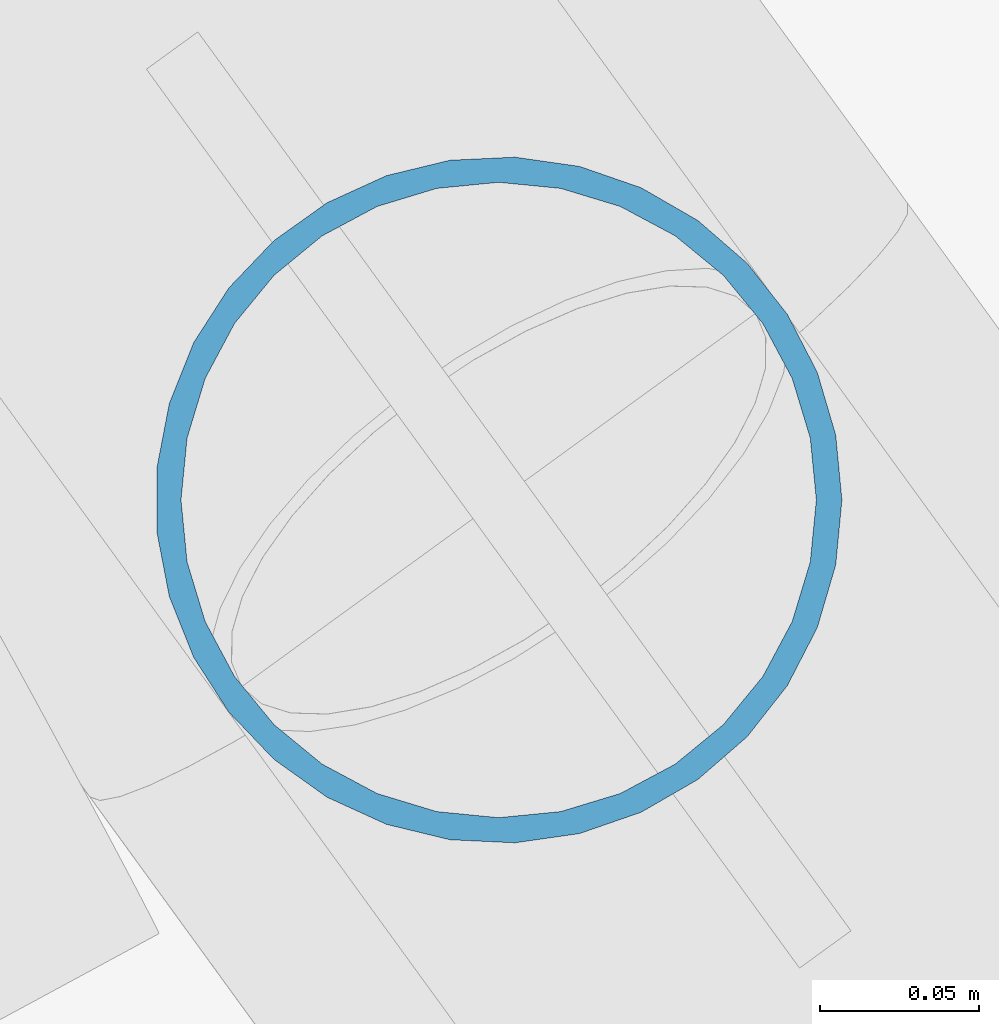
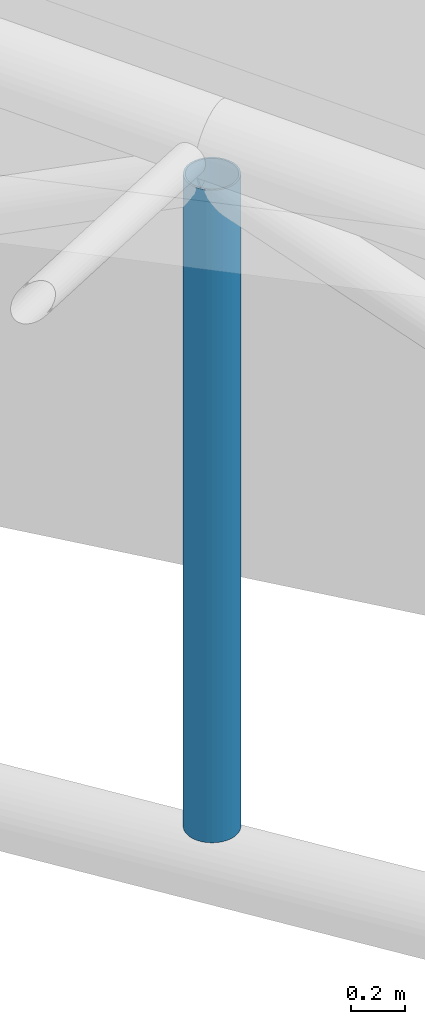
# One storey, part 41 of 163: 1 member.
"""IFC4 building model written with IfcOpenShell, lengths in metres."""

import ifcopenshell
import ifcopenshell.guid

model = None  # the IFC model being written
_history = None  # IfcOwnerHistory: only IFC2X3 demands one
_inside = {}  # id of a spatial element -> (the spatial element, [elements in it])
_under = {}  # id of a project, library or spatial element -> (it, [spatial elements below it])
_declared = {}  # id of a project -> (the project, [libraries it declares])
_typed = {}  # id of a type object -> (the type object, [elements of that type])
_made_of = {}  # id of a material, layer set ... -> (it, [elements and type objects made of it])


def new_model(schema):
    """Start an empty IFC model of exactly this schema.

    Asked for "IFC4X3", IfcOpenShell would pick the latest addendum, in which some entities
    have other attributes; the version numbers below select the first issue.
    IFC2X3 requires an IfcOwnerHistory on every rooted entity: one is made here for all.
    """
    global model, _history
    if schema == "IFC4X3":
        model = ifcopenshell.file(schema_version=(4, 3, 0, 0))
    else:
        model = ifcopenshell.file(schema=schema)
    _inside.clear()
    _under.clear()
    _declared.clear()
    _typed.clear()
    _made_of.clear()
    _history = None
    if model.schema == "IFC2X3":
        org = make("IfcOrganization", Name="unknown")
        user = make(
            "IfcPersonAndOrganization",
            ThePerson=make("IfcPerson", FamilyName="unknown"),
            TheOrganization=org,
        )
        app = make(
            "IfcApplication",
            ApplicationDeveloper=org,
            Version="unknown",
            ApplicationFullName="unknown",
            ApplicationIdentifier="unknown",
        )
        _history = make(
            "IfcOwnerHistory",
            OwningUser=user,
            OwningApplication=app,
            ChangeAction="ADDED",
            CreationDate=0,
        )
    return model


def make(cls, **values):
    """One entity of the class cls with the attributes given. An attribute that is None is left unset."""
    return model.create_entity(
        cls, **{name: value for name, value in values.items() if value is not None}
    )


def rooted(cls, **values):
    """An entity with a GlobalId (a new one), such as an element, a storey or a relation."""
    return make(cls, GlobalId=ifcopenshell.guid.new(), OwnerHistory=_history, **values)


def si_unit(unit_type, name, prefix=None):
    """IfcSIUnit, for example si_unit("LENGTHUNIT", "METRE", prefix="MILLI")."""
    return make("IfcSIUnit", UnitType=unit_type, Prefix=prefix, Name=name)


def assignment(units):
    """IfcUnitAssignment: the units of a project."""
    return None if units is None else make("IfcUnitAssignment", Units=units)


def point(xyz):
    """IfcCartesianPoint."""
    return None if xyz is None else make("IfcCartesianPoint", Coordinates=xyz)


def direction(xyz):
    """IfcDirection."""
    return None if xyz is None else make("IfcDirection", DirectionRatios=xyz)


def frame(location, z_axis=None, x_axis=None):
    """IfcAxis2Placement3D, a coordinate frame: its origin and axes. An axis left out is left unset."""
    return make(
        "IfcAxis2Placement3D",
        Location=point(location),
        Axis=direction(z_axis),
        RefDirection=direction(x_axis),
    )


def frame_2d(location, x_axis=None):
    """IfcAxis2Placement2D, a coordinate frame in the plane: its origin and x axis."""
    return make(
        "IfcAxis2Placement2D", Location=point(location), RefDirection=direction(x_axis)
    )


def origin():
    """The frame at (0, 0, 0) with its axes left unset."""
    return frame((0.0, 0.0, 0.0))


def origin_2d():
    """The frame at (0, 0) in the plane with its x axis left unset."""
    return frame_2d((0.0, 0.0))


def place(relative_to, where):
    """IfcLocalPlacement: puts the frame where relative to a parent placement (None: the world)."""
    return make(
        "IfcLocalPlacement", PlacementRelTo=relative_to, RelativePlacement=where
    )


def context(
    kind, dimensions, precision=None, world=None, true_north=None, identifier=None
):
    """IfcGeometricRepresentationContext, for example the 3D "Model" context."""
    return make(
        "IfcGeometricRepresentationContext",
        ContextIdentifier=identifier,
        ContextType=kind,
        CoordinateSpaceDimension=dimensions,
        Precision=precision,
        WorldCoordinateSystem=world,
        TrueNorth=true_north,
    )


def subcontext(parent, identifier, kind, view, scale=None):
    """IfcGeometricRepresentationSubContext, for example "Body" below "Model"."""
    return make(
        "IfcGeometricRepresentationSubContext",
        ContextIdentifier=identifier,
        ContextType=kind,
        ParentContext=parent,
        TargetScale=scale,
        TargetView=view,
    )


def project(units=None, contexts=None):
    """IfcProject with its units and contexts."""
    return rooted(
        "IfcProject",
        Name="project",
        RepresentationContexts=contexts,
        UnitsInContext=assignment(units),
    )


def spatial(cls, under=None, at=None, **own):
    """A site, building, storey or space (cls), placed at a placement, below another one or the project."""
    s = rooted(cls, ObjectPlacement=at, **own)
    if under is not None:
        _under.setdefault(under.id(), (under, []))[1].append(s)
    return s


def profile(cls, at=None, kind="AREA", **sizes):
    """A parametric profile (cls). Its sizes go by their IFC names, for example OverallWidth=200.0."""
    return make(cls, ProfileType=kind, Position=at, **sizes)


def hollow_circle(**sizes):
    """IfcCircleHollowProfileDef."""
    return profile("IfcCircleHollowProfileDef", **sizes)


def extrude(swept, where, along, depth):
    """IfcExtrudedAreaSolid: the profile swept, set in the frame where, extruded along a direction by depth."""
    return make(
        "IfcExtrudedAreaSolid",
        SweptArea=swept,
        Position=where,
        ExtrudedDirection=direction(along),
        Depth=depth,
    )


def shape(context_of_items, identifier, shape_type, items):
    """IfcShapeRepresentation: the items that make up one representation, for example the "Body"."""
    return make(
        "IfcShapeRepresentation",
        ContextOfItems=context_of_items,
        RepresentationIdentifier=identifier,
        RepresentationType=shape_type,
        Items=items,
    )


def material(Name=None, Category=None):
    """IfcMaterial."""
    return make("IfcMaterial", Name=Name, Category=Category)


def material_profile(
    of_material, cross_section, Name=None, Category=None, Priority=None
):
    """IfcMaterialProfile: a cross section and its material."""
    return make(
        "IfcMaterialProfile",
        Name=Name,
        Material=of_material,
        Profile=cross_section,
        Priority=Priority,
        Category=Category,
    )


def profile_set(profiles, Name=None, composite=None):
    """IfcMaterialProfileSet."""
    return make(
        "IfcMaterialProfileSet",
        Name=Name,
        MaterialProfiles=profiles,
        CompositeProfile=composite,
    )


def made_of(thing, what):
    """Note that an element or type object is made of a material, layer set ...; save() writes the relation."""
    if what is not None:
        _made_of.setdefault(what.id(), (what, []))[1].append(thing)
    return thing


def type_object(cls, material=None, **own):
    """A type object (cls), such as IfcWallType, which elements share."""
    return made_of(rooted(cls, **own), material)


def element(
    cls,
    number,
    at=None,
    inside=None,
    cuts=None,
    type_object=None,
    material=None,
    context=None,
    identifier="Body",
    shape_type=None,
    held_by="IfcProductDefinitionShape",
    body=None,
    shapes=None,
    **own,
):
    """One element of the class cls, such as IfcWall. Its Tag is "e" and its number.

    at: its placement. inside: the storey or other place that contains it. cuts: it is an
    opening in that element (IfcRelVoidsElement). A single representation is given by context,
    identifier, shape_type and body (its items); several are given by shapes. held_by: the class
    of the entity that holds the representations. save() writes the other relations.
    """
    e = rooted(cls, Tag="e%d" % number, ObjectPlacement=at, **own)
    if body is not None:
        shapes = [shape(context, identifier, shape_type, body)]
    if shapes is not None:
        e.Representation = make(held_by, Representations=shapes)
    if inside is not None:
        _inside.setdefault(inside.id(), (inside, []))[1].append(e)
    if cuts is not None:
        rooted(
            "IfcRelVoidsElement", RelatingBuildingElement=cuts, RelatedOpeningElement=e
        )
    if type_object is not None:
        _typed.setdefault(type_object.id(), (type_object, []))[1].append(e)
    return made_of(e, material)


def aggregate(whole, parts):
    """IfcRelAggregates: a whole, such as a stair, and the parts it consists of."""
    return rooted("IfcRelAggregates", RelatingObject=whole, RelatedObjects=parts)


def save(model, path):
    """Write the relations noted so far, then the file.

    IfcRelAggregates (storeys below a building ...), IfcRelContainedInSpatialStructure (elements
    in a storey), IfcRelDefinesByType, IfcRelAssociatesMaterial and IfcRelDeclares: one each for
    every whole, place, type object, material and project.
    """
    for whole, parts in _under.values():
        aggregate(whole, parts)
    for where, things in _inside.values():
        rooted(
            "IfcRelContainedInSpatialStructure",
            RelatedElements=things,
            RelatingStructure=where,
        )
    for kind, things in _typed.values():
        rooted("IfcRelDefinesByType", RelatedObjects=things, RelatingType=kind)
    for what, things in _made_of.values():
        rooted("IfcRelAssociatesMaterial", RelatedObjects=things, RelatingMaterial=what)
    for by, libraries in _declared.values():
        rooted("IfcRelDeclares", RelatingContext=by, RelatedDefinitions=libraries)
    model.write(path)


model = new_model("IFC4")

# Units and contexts
model_context = context("Model", 3, precision=1e-05, world=origin(), true_north=direction((0.0, 1.0)))
body_context = subcontext(model_context, "Body", "Model", "MODEL_VIEW")
ifc_project = project(units=[si_unit("LENGTHUNIT", "METRE"), si_unit("AREAUNIT", "SQUARE_METRE"), si_unit("VOLUMEUNIT", "CUBIC_METRE"), si_unit("PLANEANGLEUNIT", "RADIAN"), si_unit("MASSUNIT", "GRAM", prefix="KILO")], contexts=[model_context])

# Site, building, storey
site_placement = place(None, origin())
site = spatial("IfcSite", under=ifc_project, at=site_placement, CompositionType="ELEMENT")
building_placement = place(site_placement, origin())
building = spatial("IfcBuilding", under=site, at=building_placement, Name="Rain Tree Exposition and Congress Centre", CompositionType="ELEMENT")
storey_placement = place(building_placement, frame((0.0, 0.0, 10.5)))
storey = spatial("IfcBuildingStorey", under=building, at=storey_placement, Name="L02", CompositionType="ELEMENT", Elevation=10.5)

# Member
ifc_material = material(Name="Steel S355J2H", Category="steel")
ifc_material_profile = material_profile(ifc_material, hollow_circle(Radius=0.108154296875, WallThickness=0.008056640625, at=origin_2d()), Name="CHS 216x8")
ifc_profile_set = profile_set([ifc_material_profile], Name="Steel S355J2H")
member_type = type_object("IfcMemberType", Name="Steel post member CHS 216x8", PredefinedType="POST", material=ifc_profile_set)
member_placement = place(storey_placement, frame((220.05810546875, 41.794677734375, 0.318603515625), z_axis=(0.0, 0.0, 1.0), x_axis=(1.0, 0.0, 0.0)))
element("IfcMember", 1, at=member_placement, inside=storey, type_object=member_type, Name="TP19-3", PredefinedType="POST", context=body_context, shape_type="SweptSolid", body=[
    extrude(hollow_circle(Radius=0.108154296875, WallThickness=0.008056640625, at=origin_2d()), origin(), (0.0, 0.0, 1.0), 2.9765625),
])

save(model, "model.ifc")
